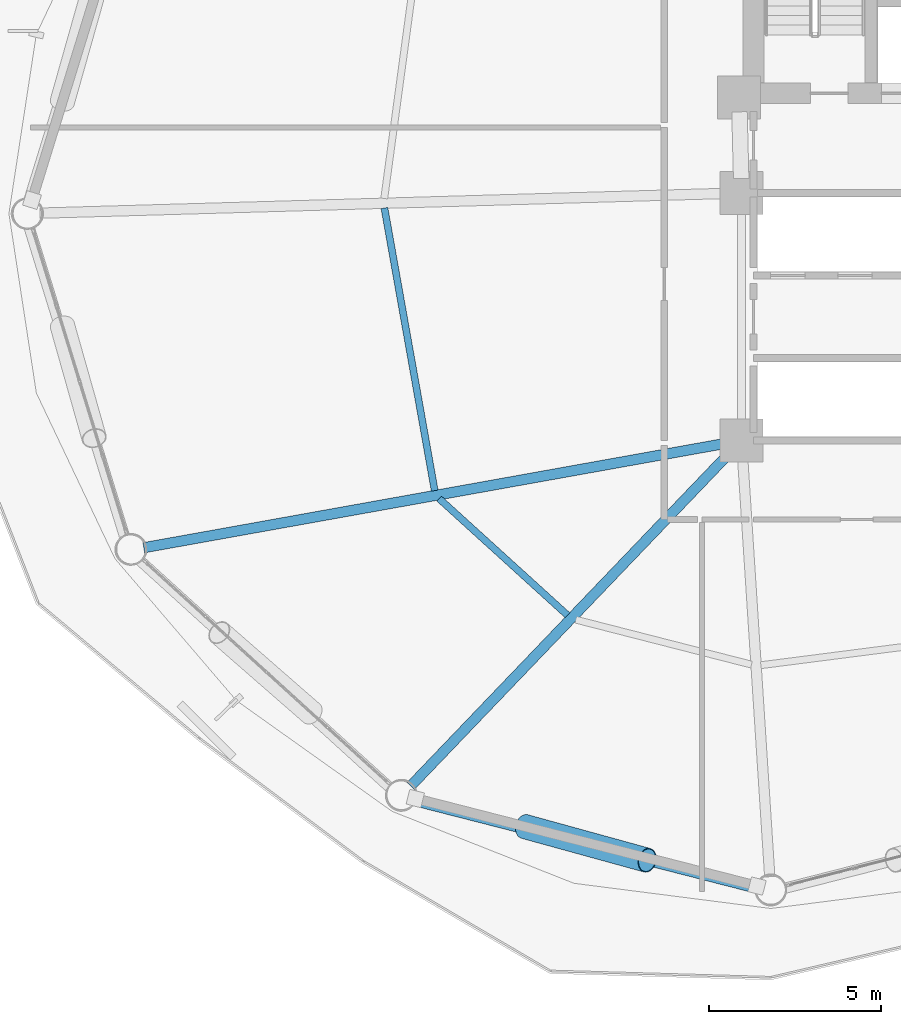
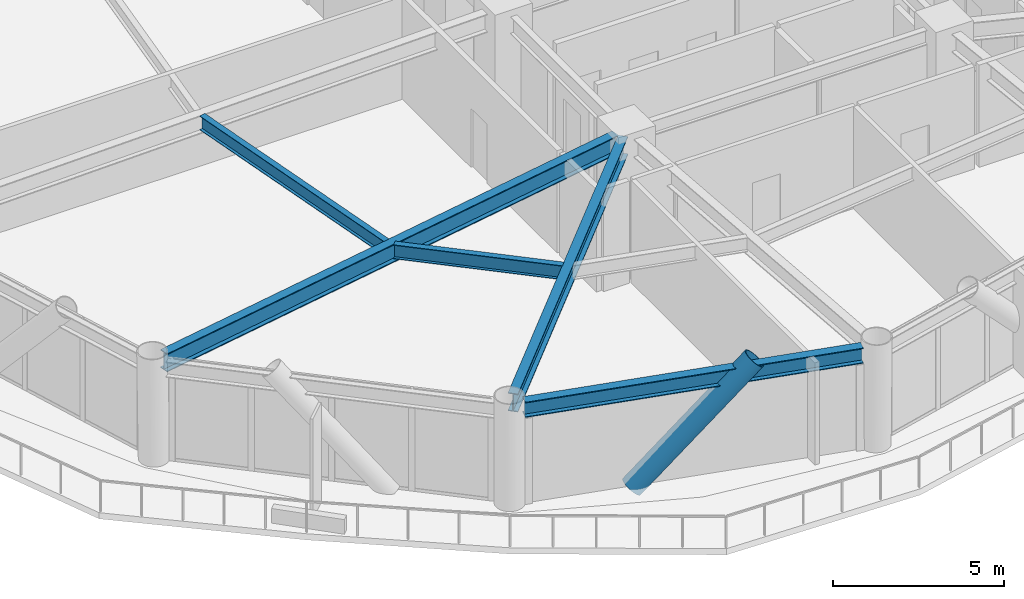
# One storey, part 4 of 22: 5 beams, 1 member.
"""IFC4 building model written with IfcOpenShell, lengths in metres."""

from ifc_helpers import new_model, si_unit, direction, frame, origin, origin_2d, place, context, subcontext, project, spatial, hollow_circle, i_section, extrude, material, material_profile, profile_set, type_object, element, save


model = new_model("IFC4")

# Units and contexts
model_context = context("Model", 3, precision=1e-05, world=origin(), true_north=direction((0.0, 1.0)))
body_context = subcontext(model_context, "Body", "Model", "MODEL_VIEW")
ifc_project = project(units=[si_unit("LENGTHUNIT", "METRE"), si_unit("AREAUNIT", "SQUARE_METRE"), si_unit("VOLUMEUNIT", "CUBIC_METRE"), si_unit("PLANEANGLEUNIT", "RADIAN"), si_unit("MASSUNIT", "GRAM", prefix="KILO")], contexts=[model_context])

# Site, building, storey
site_placement = place(None, origin())
site = spatial("IfcSite", under=ifc_project, at=site_placement, CompositionType="ELEMENT")
building_placement = place(site_placement, origin())
building = spatial("IfcBuilding", under=site, at=building_placement, Name="Varnakorn Sky Granary", CompositionType="ELEMENT")
storey_placement = place(building_placement, frame((0.0, 0.0, 66.60009765625)))
storey = spatial("IfcBuildingStorey", under=building, at=storey_placement, Name="L16", CompositionType="ELEMENT", Elevation=66.60009765625)

# Beams
ifc_material_1 = material(Name="Steel S355JR", Category="steel")
ifc_material_profile_1 = material_profile(ifc_material_1, i_section(OverallWidth=0.300048828125, OverallDepth=0.64990234375, WebThickness=0.01611328125, FlangeThickness=0.031005859375, at=origin_2d()), Name="HE 650 B")
ifc_profile_set_1 = profile_set([ifc_material_profile_1], Name="Steel S355JR")
beam_type_1 = type_object("IfcBeamType", Name="BM-RAD-Z1", PredefinedType="BEAM", material=ifc_profile_set_1)
beam_1_placement = place(storey_placement, frame((-2.763427734375, -6.67431640625, 3.31494140625), z_axis=(-0.984287426778, -0.176573671558, 0.0), x_axis=(0.176573671558, -0.984287426778, 0.0)))
element("IfcBeam", 1, at=beam_1_placement, inside=storey, type_object=beam_type_1, Name="Radial Floor Girder RG08 L16", PredefinedType="BEAM", context=body_context, shape_type="SweptSolid", body=[
    extrude(i_section(OverallWidth=0.300048828125, OverallDepth=0.64990234375, WebThickness=0.01611328125, FlangeThickness=0.031005859375, at=origin_2d()), origin(), (0.0, 0.0, 1.0), 17.2431640625),
])
beam_2_placement = place(storey_placement, frame((-2.640380859375, -6.9033203125, 3.31494140625), z_axis=(-0.691644798048, -0.72223782325, 0.0), x_axis=(0.72223782325, -0.691644798048, 0.0)))
element("IfcBeam", 2, at=beam_2_placement, inside=storey, type_object=beam_type_1, Name="Radial Floor Girder RG09 L16", PredefinedType="BEAM", context=body_context, shape_type="SweptSolid", body=[
    extrude(i_section(OverallWidth=0.300048828125, OverallDepth=0.64990234375, WebThickness=0.01611328125, FlangeThickness=0.031005859375, at=origin_2d()), origin(), (0.0, 0.0, 1.0), 13.49462890625),
])
ifc_material_profile_2 = material_profile(ifc_material_1, i_section(OverallWidth=0.199951171875, OverallDepth=0.5, WebThickness=0.01025390625, FlangeThickness=0.01611328125, at=origin_2d()), Name="IPE 500")
ifc_profile_set_2 = profile_set([ifc_material_profile_2], Name="Steel S355JR")
beam_type_2 = type_object("IfcBeamType", Name="BM-SEC-Z1", PredefinedType="BEAM", material=ifc_profile_set_2)
beam_3_placement = place(storey_placement, frame((-12.736572265625, 0.16259765625, 3.389892578125), z_axis=(0.175156143641, -0.984540667187, 0.0), x_axis=(0.984540667187, 0.175156143641, 0.0)))
element("IfcBeam", 3, at=beam_3_placement, inside=storey, type_object=beam_type_2, Name="Secondary Floor Chord Beam MSB07 L16", PredefinedType="BEAM", context=body_context, shape_type="SweptSolid", body=[
    extrude(i_section(OverallWidth=0.199951171875, OverallDepth=0.5, WebThickness=0.01025390625, FlangeThickness=0.01611328125, at=origin_2d()), origin(), (0.0, 0.0, 1.0), 8.3505859375),
])
beam_4_placement = place(storey_placement, frame((-11.145751953125, -8.290771484375, 3.389892578125), z_axis=(0.740307833021, -0.672268036105, 0.0), x_axis=(0.672268036105, 0.740307833021, 0.0)))
element("IfcBeam", 4, at=beam_4_placement, inside=storey, type_object=beam_type_2, Name="Secondary Floor Chord Beam MSB08 L16", PredefinedType="BEAM", context=body_context, shape_type="SweptSolid", body=[
    extrude(i_section(OverallWidth=0.199951171875, OverallDepth=0.5, WebThickness=0.01025390625, FlangeThickness=0.01611328125, at=origin_2d()), origin(), (0.0, 0.0, 1.0), 5.044921875),
])
ifc_material_profile_3 = material_profile(ifc_material_1, i_section(OverallWidth=0.300048828125, OverallDepth=0.550048828125, WebThickness=0.014892578125, FlangeThickness=0.029052734375, at=origin_2d()), Name="HE 550 B")
ifc_profile_set_3 = profile_set([ifc_material_profile_3], Name="Steel S355JR")
beam_type_3 = type_object("IfcBeamType", Name="BM-SPD-Z1", PredefinedType="SPANDREL", material=ifc_profile_set_3)
beam_5_placement = place(storey_placement, frame((-11.851318359375, -17.07861328125, 3.364990234375), z_axis=(0.968748648777, -0.248044462734, 0.0), x_axis=(0.248044462734, 0.968748648777, 0.0)))
element("IfcBeam", 5, at=beam_5_placement, inside=storey, type_object=beam_type_3, Name="Perimeter Spandrel Ring Beam RB09 L16", PredefinedType="SPANDREL", context=body_context, shape_type="SweptSolid", body=[
    extrude(i_section(OverallWidth=0.300048828125, OverallDepth=0.550048828125, WebThickness=0.014892578125, FlangeThickness=0.029052734375, at=origin_2d()), origin(), (0.0, 0.0, 1.0), 10.2431640625),
])

# Member
ifc_material_2 = material(Name="Steel S460M", Category="steel")
ifc_material_profile_4 = material_profile(ifc_material_2, hollow_circle(Radius=0.35546875, WallThickness=0.02490234375, at=origin_2d()), Name="CHS 711x25")
ifc_profile_set_4 = profile_set([ifc_material_profile_4], Name="Steel S460M")
member_type = type_object("IfcMemberType", Name="MB-DIAG-T0", PredefinedType="BRACE", material=ifc_profile_set_4)
member_placement = place(storey_placement, frame((-8.657958984375, -17.827880859375, -0.130126953125), z_axis=(0.661541626909, -0.182092719577, 0.727464718968), x_axis=(0.265385153364, 0.964142479291, 0.0)))
element("IfcMember", 6, at=member_placement, inside=storey, type_object=member_type, Name="Perimeter CHS Diagrid Brace DG09 L16", PredefinedType="BRACE", context=body_context, shape_type="SweptSolid", body=[
    extrude(hollow_circle(Radius=0.35546875, WallThickness=0.02490234375, at=origin_2d()), origin(), (0.0, 0.0, 1.0), 5.388427734375),
])

save(model, "model.ifc")
